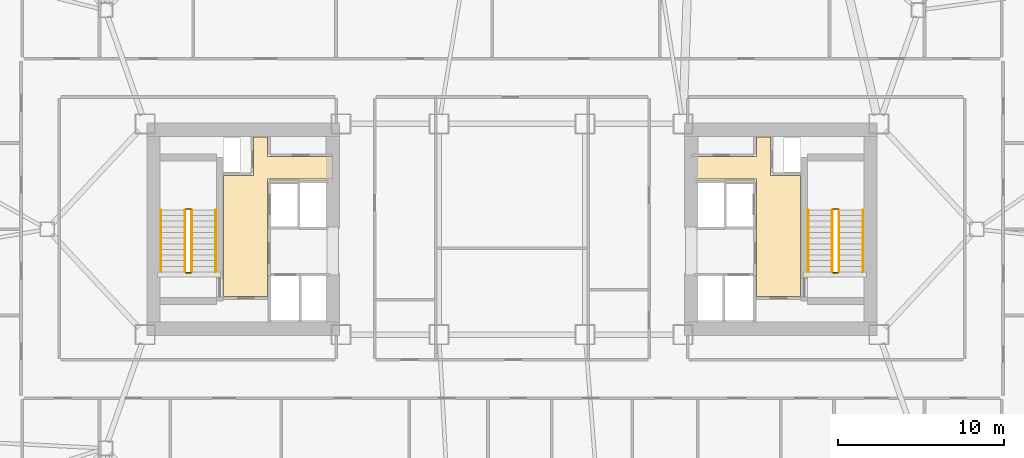
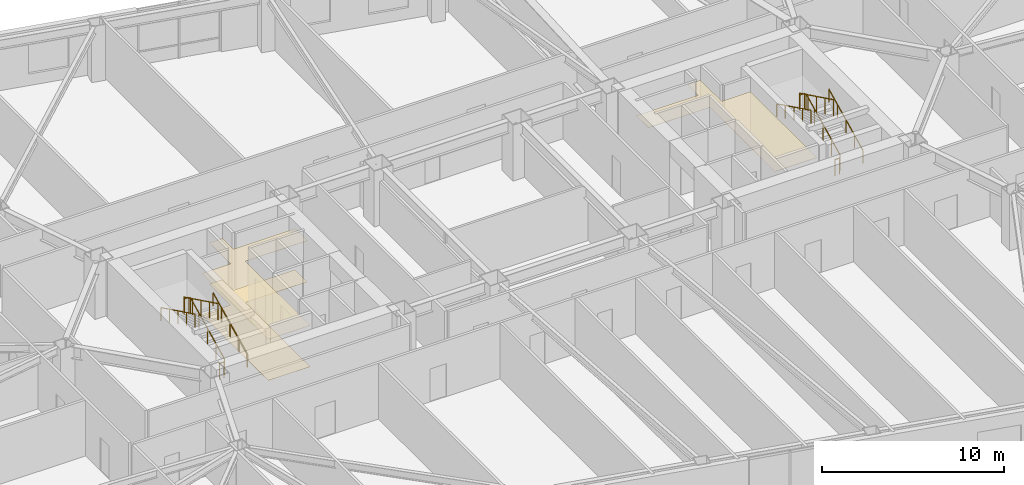
# One storey, part 23 of 23: 12 railings, 3 coverings.
"""IFC4 building model written with IfcOpenShell, lengths in metres."""

from ifc_helpers import new_model, si_unit, direction, frame, origin, origin_2d, place, context, subcontext, project, spatial, polyline, rectangle, outline, extrude, material, layer, layer_set, type_object, element, save


model = new_model("IFC4")

# Units and contexts
model_context = context("Model", 3, precision=1e-05, world=origin(), true_north=direction((0.0, 1.0)))
body_context = subcontext(model_context, "Body", "Model", "MODEL_VIEW")
ifc_project = project(units=[si_unit("LENGTHUNIT", "METRE"), si_unit("AREAUNIT", "SQUARE_METRE"), si_unit("VOLUMEUNIT", "CUBIC_METRE"), si_unit("PLANEANGLEUNIT", "RADIAN"), si_unit("MASSUNIT", "GRAM", prefix="KILO")], contexts=[model_context])

# Site, building, storey
site_placement = place(None, origin())
site = spatial("IfcSite", under=ifc_project, at=site_placement, CompositionType="ELEMENT")
building_placement = place(site_placement, origin())
building = spatial("IfcBuilding", under=site, at=building_placement, Name="Tavrogorsk Clinical Tower", CompositionType="ELEMENT")
storey_placement = place(building_placement, frame((0.0, 0.0, 63.39990234375)))
storey = spatial("IfcBuildingStorey", under=building, at=storey_placement, Name="L13", CompositionType="ELEMENT", Elevation=63.39990234375)

# Coverings
ifc_material_1 = material(Name="Antibacterial micro-perforated aluminium ceiling", Category="aluminium")
ifc_layer_1 = layer(ifc_material_1, 0.014892578125)
ifc_layer_set_1 = layer_set([ifc_layer_1], Name="Antibacterial micro-perforated aluminium ceiling")
covering_type_1 = type_object("IfcCoveringType", Name="ClinicalCeiling_15", PredefinedType="CEILING", material=ifc_layer_set_1)
covering_1_placement = place(storey_placement, frame((0.0, 0.0, 2.75)))
element("IfcCovering", 1, at=covering_1_placement, inside=storey, type_object=covering_type_1, Name="Core West Firefighting Lift Lobby Acoustic Ceiling", PredefinedType="CEILING", context=body_context, shape_type="SweptSolid", body=[
    extrude(outline(polyline([(-14.719970703125, 4.3798828125), (-10.800048828125, 4.3798828125), (-10.800048828125, 3.0400390625), (-14.719970703125, 3.0400390625), (-14.719970703125, -4.06005859375), (-17.3798828125, -4.06005859375), (-17.3798828125, 3.239990234375), (-15.56005859375, 3.239990234375), (-15.56005859375, 5.56005859375), (-14.719970703125, 5.56005859375), (-14.719970703125, 4.3798828125)])), origin(), (0.0, 0.0, 1.0), 0.01513671875),
])
covering_2_placement = place(storey_placement, frame((0.0, 0.0, 2.75)))
element("IfcCovering", 2, at=covering_2_placement, inside=storey, type_object=covering_type_1, Name="Core East Firefighting Lift Lobby Acoustic Ceiling", PredefinedType="CEILING", context=body_context, shape_type="SweptSolid", body=[
    extrude(outline(polyline([(14.719970703125, -4.06005859375), (14.719970703125, 3.0400390625), (10.800048828125, 3.0400390625), (10.800048828125, 4.3798828125), (14.719970703125, 4.3798828125), (14.719970703125, 5.56005859375), (15.56005859375, 5.56005859375), (15.56005859375, 3.239990234375), (17.3798828125, 3.239990234375), (17.3798828125, -4.06005859375), (14.719970703125, -4.06005859375)])), origin(), (0.0, 0.0, 1.0), 0.01513671875),
])
ifc_material_2 = material(Name="Homogeneous medical conductive PVC flooring")
ifc_layer_2 = layer(ifc_material_2, 0.008056640625)
ifc_layer_set_2 = layer_set([ifc_layer_2], Name="Homogeneous medical conductive PVC flooring")
covering_type_2 = type_object("IfcCoveringType", Name="ResilientVinylFloor_8", PredefinedType="FLOORING", material=ifc_layer_set_2)
covering_3_placement = place(storey_placement, origin())
element("IfcCovering", 3, at=covering_3_placement, inside=storey, type_object=covering_type_2, Name="Core West Firefighting Lift Lobby Conductive Vinyl Flooring", PredefinedType="FLOORING", context=body_context, shape_type="SweptSolid", body=[
    extrude(outline(polyline([(-14.719970703125, 4.3798828125), (-10.800048828125, 4.3798828125), (-10.800048828125, 3.0400390625), (-14.719970703125, 3.0400390625), (-14.719970703125, -4.06005859375), (-17.3798828125, -4.06005859375), (-17.3798828125, 3.239990234375), (-15.56005859375, 3.239990234375), (-15.56005859375, 5.56005859375), (-14.719970703125, 5.56005859375), (-14.719970703125, 4.3798828125)])), origin(), (0.0, 0.0, 1.0), 0.008056640625),
])

# Railings
ifc_material_3 = material(Name="Galvanised steel S355 safety stairwell guard", Category="steel")
ifc_layer_3 = layer(ifc_material_3, 0.06005859375)
ifc_layer_set_3 = layer_set([ifc_layer_3], Name="Galvanised steel S355 safety stairwell guard")
railing_type_1 = type_object("IfcRailingType", Name="StairGuard_1150", PredefinedType="GUARDRAIL", material=ifc_layer_set_3)
railing_1_placement = place(storey_placement, frame((-19.300048828125, -2.574951171875, 0.166748046875)))
element("IfcRailing", 4, at=railing_1_placement, inside=storey, type_object=railing_type_1, Name="L13 ST-W stair guard 1", PredefinedType="GUARDRAIL", context=body_context, shape_type="SweptSolid", body=[
    extrude(rectangle(XDim=0.048095703125, YDim=0.048095703125, at=origin_2d()), frame((0.0, 0.0, 1.076171875), z_axis=(0.0, 0.897927990467, 0.440142390523), x_axis=(-1.0, 0.0, 0.0)), (0.0, 0.0, 1.0), 4.1650390625),
    extrude(rectangle(XDim=0.0419921875, YDim=0.0419921875, at=origin_2d()), origin(), (0.0, 0.0, 1.0), 1.052001953125),
    extrude(rectangle(XDim=0.0419921875, YDim=0.0419921875, at=origin_2d()), frame((0.0, 0.93505859375, 0.458251953125)), (0.0, 0.0, 1.0), 1.052001953125),
    extrude(rectangle(XDim=0.0419921875, YDim=0.0419921875, at=origin_2d()), frame((0.0, 1.8701171875, 0.91650390625)), (0.0, 0.0, 1.0), 1.052001953125),
    extrude(rectangle(XDim=0.0419921875, YDim=0.0419921875, at=origin_2d()), frame((0.0, 2.804931640625, 1.375)), (0.0, 0.0, 1.0), 1.052001953125),
    extrude(rectangle(XDim=0.0419921875, YDim=0.0419921875, at=origin_2d()), frame((0.0, 3.739990234375, 1.833251953125)), (0.0, 0.0, 1.0), 1.052001953125),
])
railing_2_placement = place(storey_placement, frame((-19.35009765625, 1.215087890625, 2.0)))
element("IfcRailing", 5, at=railing_2_placement, inside=storey, type_object=railing_type_1, Name="L13 ST-W stair guard 2", PredefinedType="GUARDRAIL", context=body_context, shape_type="SweptSolid", body=[
    extrude(rectangle(XDim=0.048095703125, YDim=0.048095703125, at=origin_2d()), frame((0.0, 0.0, 1.076171875), z_axis=(-1.0, 0.0, 0.0), x_axis=(0.0, -1.0, 0.0)), (0.0, 0.0, 1.0), 0.2998046875),
    extrude(rectangle(XDim=0.0419921875, YDim=0.0419921875, at=origin_2d()), origin(), (0.0, 0.0, 1.0), 1.052001953125),
    extrude(rectangle(XDim=0.0419921875, YDim=0.0419921875, at=origin_2d()), frame((-0.2998046875, 0.0, 0.0)), (0.0, 0.0, 1.0), 1.052001953125),
])
railing_3_placement = place(storey_placement, frame((-19.699951171875, 1.1650390625, 2.166748046875)))
element("IfcRailing", 6, at=railing_3_placement, inside=storey, type_object=railing_type_1, Name="L13 ST-W stair guard 3", PredefinedType="GUARDRAIL", context=body_context, shape_type="SweptSolid", body=[
    extrude(rectangle(XDim=0.048095703125, YDim=0.048095703125, at=origin_2d()), frame((0.0, 0.0, 1.076171875), z_axis=(0.0, -0.897927990467, 0.440142390523), x_axis=(1.0, 0.0, 0.0)), (0.0, 0.0, 1.0), 4.1650390625),
    extrude(rectangle(XDim=0.0419921875, YDim=0.0419921875, at=origin_2d()), origin(), (0.0, 0.0, 1.0), 1.052001953125),
    extrude(rectangle(XDim=0.0419921875, YDim=0.0419921875, at=origin_2d()), frame((0.0, -0.93505859375, 0.458251953125)), (0.0, 0.0, 1.0), 1.052001953125),
    extrude(rectangle(XDim=0.0419921875, YDim=0.0419921875, at=origin_2d()), frame((0.0, -1.8701171875, 0.91650390625)), (0.0, 0.0, 1.0), 1.052001953125),
    extrude(rectangle(XDim=0.0419921875, YDim=0.0419921875, at=origin_2d()), frame((0.0, -2.804931640625, 1.375)), (0.0, 0.0, 1.0), 1.052001953125),
    extrude(rectangle(XDim=0.0419921875, YDim=0.0419921875, at=origin_2d()), frame((0.0, -3.739990234375, 1.833251953125)), (0.0, 0.0, 1.0), 1.052001953125),
])
railing_4_placement = place(storey_placement, frame((-19.35009765625, -2.625, 0.0)))
element("IfcRailing", 7, at=railing_4_placement, inside=storey, type_object=railing_type_1, Name="L13 ST-W stair guard 4", PredefinedType="GUARDRAIL", context=body_context, shape_type="SweptSolid", body=[
    extrude(rectangle(XDim=0.048095703125, YDim=0.048095703125, at=origin_2d()), frame((0.0, 0.0, 1.076171875), z_axis=(-1.0, 0.0, 0.0), x_axis=(0.0, -1.0, 0.0)), (0.0, 0.0, 1.0), 0.2998046875),
    extrude(rectangle(XDim=0.0419921875, YDim=0.0419921875, at=origin_2d()), origin(), (0.0, 0.0, 1.0), 1.052001953125),
    extrude(rectangle(XDim=0.0419921875, YDim=0.0419921875, at=origin_2d()), frame((-0.2998046875, 0.0, 0.0)), (0.0, 0.0, 1.0), 1.052001953125),
])
railing_5_placement = place(storey_placement, frame((19.699951171875, -2.574951171875, 0.166748046875)))
element("IfcRailing", 8, at=railing_5_placement, inside=storey, type_object=railing_type_1, Name="L13 ST-E stair guard 1", PredefinedType="GUARDRAIL", context=body_context, shape_type="SweptSolid", body=[
    extrude(rectangle(XDim=0.048095703125, YDim=0.048095703125, at=origin_2d()), frame((0.0, 0.0, 1.076171875), z_axis=(0.0, 0.897927990467, 0.440142390523), x_axis=(-1.0, 0.0, 0.0)), (0.0, 0.0, 1.0), 4.1650390625),
    extrude(rectangle(XDim=0.0419921875, YDim=0.0419921875, at=origin_2d()), origin(), (0.0, 0.0, 1.0), 1.052001953125),
    extrude(rectangle(XDim=0.0419921875, YDim=0.0419921875, at=origin_2d()), frame((0.0, 0.93505859375, 0.458251953125)), (0.0, 0.0, 1.0), 1.052001953125),
    extrude(rectangle(XDim=0.0419921875, YDim=0.0419921875, at=origin_2d()), frame((0.0, 1.8701171875, 0.91650390625)), (0.0, 0.0, 1.0), 1.052001953125),
    extrude(rectangle(XDim=0.0419921875, YDim=0.0419921875, at=origin_2d()), frame((0.0, 2.804931640625, 1.375)), (0.0, 0.0, 1.0), 1.052001953125),
    extrude(rectangle(XDim=0.0419921875, YDim=0.0419921875, at=origin_2d()), frame((0.0, 3.739990234375, 1.833251953125)), (0.0, 0.0, 1.0), 1.052001953125),
])
railing_6_placement = place(storey_placement, frame((19.64990234375, 1.215087890625, 2.0)))
element("IfcRailing", 9, at=railing_6_placement, inside=storey, type_object=railing_type_1, Name="L13 ST-E stair guard 2", PredefinedType="GUARDRAIL", context=body_context, shape_type="SweptSolid", body=[
    extrude(rectangle(XDim=0.048095703125, YDim=0.048095703125, at=origin_2d()), frame((0.0, 0.0, 1.076171875), z_axis=(-1.0, 0.0, 0.0), x_axis=(0.0, -1.0, 0.0)), (0.0, 0.0, 1.0), 0.2998046875),
    extrude(rectangle(XDim=0.0419921875, YDim=0.0419921875, at=origin_2d()), origin(), (0.0, 0.0, 1.0), 1.052001953125),
    extrude(rectangle(XDim=0.0419921875, YDim=0.0419921875, at=origin_2d()), frame((-0.2998046875, 0.0, 0.0)), (0.0, 0.0, 1.0), 1.052001953125),
])
railing_7_placement = place(storey_placement, frame((19.300048828125, 1.1650390625, 2.166748046875)))
element("IfcRailing", 10, at=railing_7_placement, inside=storey, type_object=railing_type_1, Name="L13 ST-E stair guard 3", PredefinedType="GUARDRAIL", context=body_context, shape_type="SweptSolid", body=[
    extrude(rectangle(XDim=0.048095703125, YDim=0.048095703125, at=origin_2d()), frame((0.0, 0.0, 1.076171875), z_axis=(0.0, -0.897927990467, 0.440142390523), x_axis=(1.0, 0.0, 0.0)), (0.0, 0.0, 1.0), 4.1650390625),
    extrude(rectangle(XDim=0.0419921875, YDim=0.0419921875, at=origin_2d()), origin(), (0.0, 0.0, 1.0), 1.052001953125),
    extrude(rectangle(XDim=0.0419921875, YDim=0.0419921875, at=origin_2d()), frame((0.0, -0.93505859375, 0.458251953125)), (0.0, 0.0, 1.0), 1.052001953125),
    extrude(rectangle(XDim=0.0419921875, YDim=0.0419921875, at=origin_2d()), frame((0.0, -1.8701171875, 0.91650390625)), (0.0, 0.0, 1.0), 1.052001953125),
    extrude(rectangle(XDim=0.0419921875, YDim=0.0419921875, at=origin_2d()), frame((0.0, -2.804931640625, 1.375)), (0.0, 0.0, 1.0), 1.052001953125),
    extrude(rectangle(XDim=0.0419921875, YDim=0.0419921875, at=origin_2d()), frame((0.0, -3.739990234375, 1.833251953125)), (0.0, 0.0, 1.0), 1.052001953125),
])
railing_8_placement = place(storey_placement, frame((19.64990234375, -2.625, 0.0)))
element("IfcRailing", 11, at=railing_8_placement, inside=storey, type_object=railing_type_1, Name="L13 ST-E stair guard 4", PredefinedType="GUARDRAIL", context=body_context, shape_type="SweptSolid", body=[
    extrude(rectangle(XDim=0.048095703125, YDim=0.048095703125, at=origin_2d()), frame((0.0, 0.0, 1.076171875), z_axis=(-1.0, 0.0, 0.0), x_axis=(0.0, -1.0, 0.0)), (0.0, 0.0, 1.0), 0.2998046875),
    extrude(rectangle(XDim=0.0419921875, YDim=0.0419921875, at=origin_2d()), origin(), (0.0, 0.0, 1.0), 1.052001953125),
    extrude(rectangle(XDim=0.0419921875, YDim=0.0419921875, at=origin_2d()), frame((-0.2998046875, 0.0, 0.0)), (0.0, 0.0, 1.0), 1.052001953125),
])
ifc_material_4 = material(Name="Stainless steel AISI 304 tubular handrail", Category="steel")
ifc_layer_4 = layer(ifc_material_4, 0.050048828125)
ifc_layer_set_4 = layer_set([ifc_layer_4], Name="Stainless steel AISI 304 tubular handrail")
railing_type_2 = type_object("IfcRailingType", Name="StairHandrail_920", PredefinedType="HANDRAIL", material=ifc_layer_set_4)
railing_9_placement = place(storey_placement, frame((-17.85009765625, -2.574951171875, 0.166748046875)))
element("IfcRailing", 12, at=railing_9_placement, inside=storey, type_object=railing_type_2, Name="L13 ST-W stair handrail 1", PredefinedType="HANDRAIL", context=body_context, shape_type="SweptSolid", body=[
    extrude(rectangle(XDim=0.048095703125, YDim=0.048095703125, at=origin_2d()), frame((0.0, 0.0, 0.8759765625), z_axis=(0.0, 0.897927990467, 0.440142390523), x_axis=(-1.0, 0.0, 0.0)), (0.0, 0.0, 1.0), 4.1650390625),
    extrude(rectangle(XDim=0.0419921875, YDim=0.0419921875, at=origin_2d()), origin(), (0.0, 0.0, 1.0), 0.851806640625),
    extrude(rectangle(XDim=0.0419921875, YDim=0.0419921875, at=origin_2d()), frame((0.0, 0.93505859375, 0.458251953125)), (0.0, 0.0, 1.0), 0.851806640625),
    extrude(rectangle(XDim=0.0419921875, YDim=0.0419921875, at=origin_2d()), frame((0.0, 1.8701171875, 0.91650390625)), (0.0, 0.0, 1.0), 0.851806640625),
    extrude(rectangle(XDim=0.0419921875, YDim=0.0419921875, at=origin_2d()), frame((0.0, 2.804931640625, 1.375)), (0.0, 0.0, 1.0), 0.851806640625),
    extrude(rectangle(XDim=0.0419921875, YDim=0.0419921875, at=origin_2d()), frame((0.0, 3.739990234375, 1.833251953125)), (0.0, 0.0, 1.0), 0.851806640625),
])
railing_10_placement = place(storey_placement, frame((-21.14990234375, 1.1650390625, 2.166748046875)))
element("IfcRailing", 13, at=railing_10_placement, inside=storey, type_object=railing_type_2, Name="L13 ST-W stair handrail 2", PredefinedType="HANDRAIL", context=body_context, shape_type="SweptSolid", body=[
    extrude(rectangle(XDim=0.048095703125, YDim=0.048095703125, at=origin_2d()), frame((0.0, 0.0, 0.8759765625), z_axis=(0.0, -0.897927990467, 0.440142390523), x_axis=(1.0, 0.0, 0.0)), (0.0, 0.0, 1.0), 4.1650390625),
    extrude(rectangle(XDim=0.0419921875, YDim=0.0419921875, at=origin_2d()), origin(), (0.0, 0.0, 1.0), 0.851806640625),
    extrude(rectangle(XDim=0.0419921875, YDim=0.0419921875, at=origin_2d()), frame((0.0, -0.93505859375, 0.458251953125)), (0.0, 0.0, 1.0), 0.851806640625),
    extrude(rectangle(XDim=0.0419921875, YDim=0.0419921875, at=origin_2d()), frame((0.0, -1.8701171875, 0.91650390625)), (0.0, 0.0, 1.0), 0.851806640625),
    extrude(rectangle(XDim=0.0419921875, YDim=0.0419921875, at=origin_2d()), frame((0.0, -2.804931640625, 1.375)), (0.0, 0.0, 1.0), 0.851806640625),
    extrude(rectangle(XDim=0.0419921875, YDim=0.0419921875, at=origin_2d()), frame((0.0, -3.739990234375, 1.833251953125)), (0.0, 0.0, 1.0), 0.851806640625),
])
railing_11_placement = place(storey_placement, frame((21.14990234375, -2.574951171875, 0.166748046875)))
element("IfcRailing", 14, at=railing_11_placement, inside=storey, type_object=railing_type_2, Name="L13 ST-E stair handrail 1", PredefinedType="HANDRAIL", context=body_context, shape_type="SweptSolid", body=[
    extrude(rectangle(XDim=0.048095703125, YDim=0.048095703125, at=origin_2d()), frame((0.0, 0.0, 0.8759765625), z_axis=(0.0, 0.897927990467, 0.440142390523), x_axis=(-1.0, 0.0, 0.0)), (0.0, 0.0, 1.0), 4.1650390625),
    extrude(rectangle(XDim=0.0419921875, YDim=0.0419921875, at=origin_2d()), origin(), (0.0, 0.0, 1.0), 0.851806640625),
    extrude(rectangle(XDim=0.0419921875, YDim=0.0419921875, at=origin_2d()), frame((0.0, 0.93505859375, 0.458251953125)), (0.0, 0.0, 1.0), 0.851806640625),
    extrude(rectangle(XDim=0.0419921875, YDim=0.0419921875, at=origin_2d()), frame((0.0, 1.8701171875, 0.91650390625)), (0.0, 0.0, 1.0), 0.851806640625),
    extrude(rectangle(XDim=0.0419921875, YDim=0.0419921875, at=origin_2d()), frame((0.0, 2.804931640625, 1.375)), (0.0, 0.0, 1.0), 0.851806640625),
    extrude(rectangle(XDim=0.0419921875, YDim=0.0419921875, at=origin_2d()), frame((0.0, 3.739990234375, 1.833251953125)), (0.0, 0.0, 1.0), 0.851806640625),
])
railing_12_placement = place(storey_placement, frame((17.85009765625, 1.1650390625, 2.166748046875)))
element("IfcRailing", 15, at=railing_12_placement, inside=storey, type_object=railing_type_2, Name="L13 ST-E stair handrail 2", PredefinedType="HANDRAIL", context=body_context, shape_type="SweptSolid", body=[
    extrude(rectangle(XDim=0.048095703125, YDim=0.048095703125, at=origin_2d()), frame((0.0, 0.0, 0.8759765625), z_axis=(0.0, -0.897927990467, 0.440142390523), x_axis=(1.0, 0.0, 0.0)), (0.0, 0.0, 1.0), 4.1650390625),
    extrude(rectangle(XDim=0.0419921875, YDim=0.0419921875, at=origin_2d()), origin(), (0.0, 0.0, 1.0), 0.851806640625),
    extrude(rectangle(XDim=0.0419921875, YDim=0.0419921875, at=origin_2d()), frame((0.0, -0.93505859375, 0.458251953125)), (0.0, 0.0, 1.0), 0.851806640625),
    extrude(rectangle(XDim=0.0419921875, YDim=0.0419921875, at=origin_2d()), frame((0.0, -1.8701171875, 0.91650390625)), (0.0, 0.0, 1.0), 0.851806640625),
    extrude(rectangle(XDim=0.0419921875, YDim=0.0419921875, at=origin_2d()), frame((0.0, -2.804931640625, 1.375)), (0.0, 0.0, 1.0), 0.851806640625),
    extrude(rectangle(XDim=0.0419921875, YDim=0.0419921875, at=origin_2d()), frame((0.0, -3.739990234375, 1.833251953125)), (0.0, 0.0, 1.0), 0.851806640625),
])

save(model, "model.ifc")
